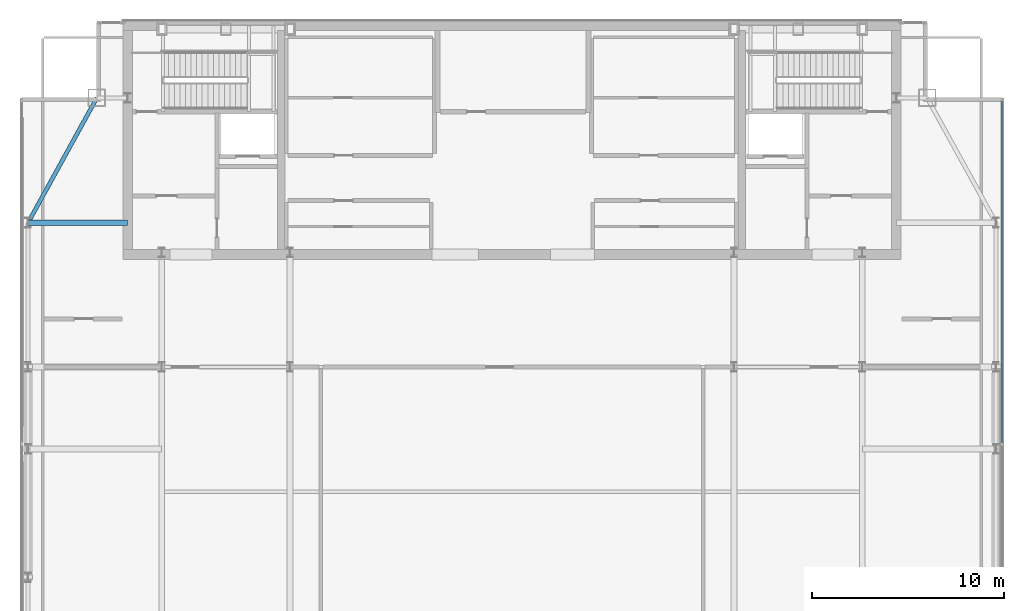
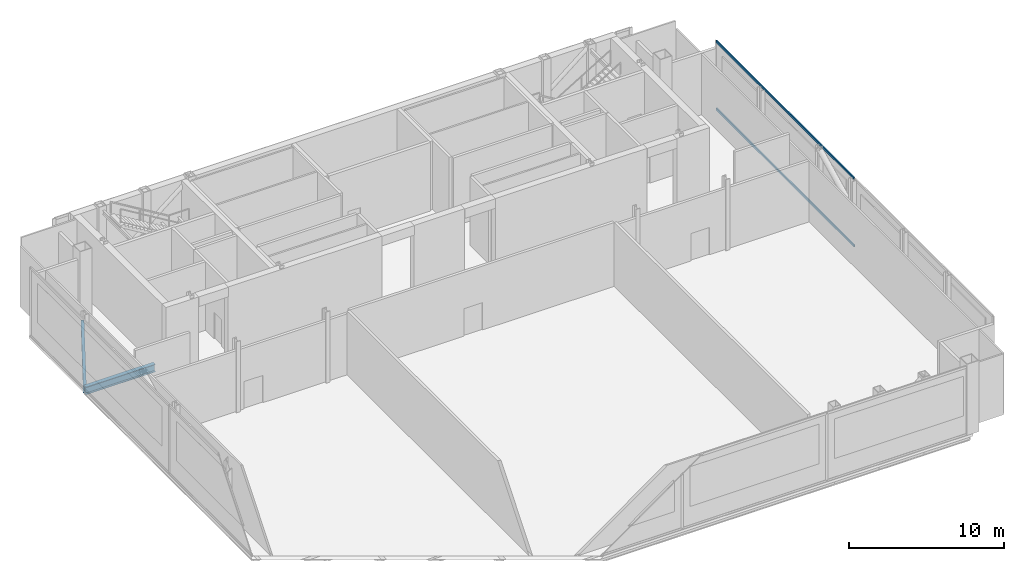
# One storey, part 15 of 22: 2 beams, 2 members, 1 element without a shape of its own.
"""IFC4 building model written with IfcOpenShell, lengths in metres."""

from ifc_helpers import new_model, si_unit, direction, frame, origin, origin_2d, place, context, subcontext, project, spatial, hollow_rectangle, i_section, extrude, material, material_profile, profile_set, type_object, element, aggregate, save


model = new_model("IFC4")

# Units and contexts
model_context = context("Model", 3, precision=1e-05, world=origin(), true_north=direction((0.0, 1.0)))
body_context = subcontext(model_context, "Body", "Model", "MODEL_VIEW")
ifc_project = project(units=[si_unit("LENGTHUNIT", "METRE"), si_unit("AREAUNIT", "SQUARE_METRE"), si_unit("VOLUMEUNIT", "CUBIC_METRE"), si_unit("PLANEANGLEUNIT", "RADIAN"), si_unit("MASSUNIT", "GRAM", prefix="KILO")], contexts=[model_context])

# Site, building, storey
site_placement = place(None, origin())
site = spatial("IfcSite", under=ifc_project, at=site_placement, CompositionType="ELEMENT")
building_placement = place(site_placement, origin())
building = spatial("IfcBuilding", under=site, at=building_placement, Name="Khoronbel Lancet Exchange", CompositionType="ELEMENT")
storey_placement = place(building_placement, frame((0.0, 0.0, 373.0)))
storey = spatial("IfcBuildingStorey", under=building, at=storey_placement, Name="L95", CompositionType="ELEMENT", Elevation=373.0)

# Beams
ifc_material_1 = material(Name="Steel S355", Category="steel")
ifc_material_profile_1 = material_profile(ifc_material_1, i_section(OverallWidth=0.300048828125, OverallDepth=0.60009765625, WebThickness=0.015380859375, FlangeThickness=0.030029296875, at=origin_2d()), Name="HEB 600")
ifc_profile_set_1 = profile_set([ifc_material_profile_1], Name="Steel S355")
beam_type_1 = type_object("IfcBeamType", Name="BM-BG5", PredefinedType="BEAM", material=ifc_profile_set_1)
beam_1_placement = place(storey_placement, frame((11.27001953125, 43.199951171875, -0.5), z_axis=(1.0, 0.0, 0.0), x_axis=(0.0, 1.0, 0.0)))
element("IfcBeam", 1, at=beam_1_placement, inside=storey, type_object=beam_type_1, Name="Level L95 west lens tie girder LG3W", PredefinedType="BEAM", context=body_context, shape_type="SweptSolid", body=[
    extrude(i_section(OverallWidth=0.300048828125, OverallDepth=0.60009765625, WebThickness=0.015380859375, FlangeThickness=0.030029296875, at=origin_2d()), origin(), (0.0, 0.0, 1.0), 5.179931640625),
])
ifc_material_profile_2 = material_profile(ifc_material_1, i_section(OverallWidth=0.2099609375, OverallDepth=0.550048828125, WebThickness=0.010986328125, FlangeThickness=0.01708984375, at=origin_2d()), Name="IPE 550")
ifc_profile_set_2 = profile_set([ifc_material_profile_2], Name="Steel S355")
beam_type_2 = type_object("IfcBeamType", Name="BM-BSP3", PredefinedType="SPANDREL", material=ifc_profile_set_2)
beam_2_placement = place(storey_placement, frame((14.85009765625, 49.699951171875, -0.47509765625), z_axis=(-0.482444051088, -0.875926787791, 0.0), x_axis=(0.875926787791, -0.482444051088, 0.0)))
element("IfcBeam", 2, at=beam_2_placement, inside=storey, type_object=beam_type_2, Name="Level L95 perimeter spandrel beam SP14", PredefinedType="SPANDREL", context=body_context, shape_type="SweptSolid", body=[
    extrude(i_section(OverallWidth=0.2099609375, OverallDepth=0.550048828125, WebThickness=0.010986328125, FlangeThickness=0.01708984375, at=origin_2d()), origin(), (0.0, 0.0, 1.0), 7.420654296875),
])

# Curtain wall, members
ifc_material_2 = material(Name="Low-E Solar Control Insulating Glass", Category="glass")
curtain_wall_type = type_object("IfcCurtainWallType", Name="CW-6", PredefinedType="NOTDEFINED", material=ifc_material_2)
curtain_wall_placement = place(storey_placement, origin())
curtain_wall = element("IfcCurtainWall", 3, at=curtain_wall_placement, inside=storey, type_object=curtain_wall_type, Name="Unitised curtain wall CW-L95-E09", PredefinedType="NOTDEFINED")
ifc_material_3 = material(Name="Bronze-Anodised Aluminium 6063-T6", Category="aluminium")
ifc_material_profile_3 = material_profile(ifc_material_3, hollow_rectangle(XDim=0.0849609375, YDim=0.179931640625, WallThickness=0.0048828125, at=origin_2d()), Name="ALU TRANSOM 85x180")
ifc_profile_set_3 = profile_set([ifc_material_profile_3], Name="Bronze-Anodised Aluminium 6063-T6")
member_type = type_object("IfcMemberType", Name="MEM-CWT1", PredefinedType="USERDEFINED", material=ifc_profile_set_3)
member_1_placement = place(storey_placement, frame((61.9599609375, 49.534912109375, 0.04248046875), z_axis=(0.0, -1.0, 0.0), x_axis=(1.0, 0.0, 0.0)))
member_1 = element("IfcMember", 4, at=member_1_placement, type_object=member_type, Name="CW6 transom 1.1", ObjectType="TRANSOM", PredefinedType="USERDEFINED", context=body_context, shape_type="SweptSolid", body=[
    extrude(hollow_rectangle(XDim=0.0849609375, YDim=0.179931640625, WallThickness=0.0048828125, at=origin_2d()), origin(), (0.0, 0.0, 1.0), 17.79736328125),
])
member_2_placement = place(storey_placement, frame((61.9599609375, 49.534912109375, 5.357421875), z_axis=(0.0, -1.0, 0.0), x_axis=(1.0, 0.0, 0.0)))
member_2 = element("IfcMember", 5, at=member_2_placement, type_object=member_type, Name="CW6 transom 1.2", ObjectType="TRANSOM", PredefinedType="USERDEFINED", context=body_context, shape_type="SweptSolid", body=[
    extrude(hollow_rectangle(XDim=0.0849609375, YDim=0.179931640625, WallThickness=0.0048828125, at=origin_2d()), origin(), (0.0, 0.0, 1.0), 17.79736328125),
])
aggregate(curtain_wall, [member_1, member_2])

save(model, "model.ifc")
